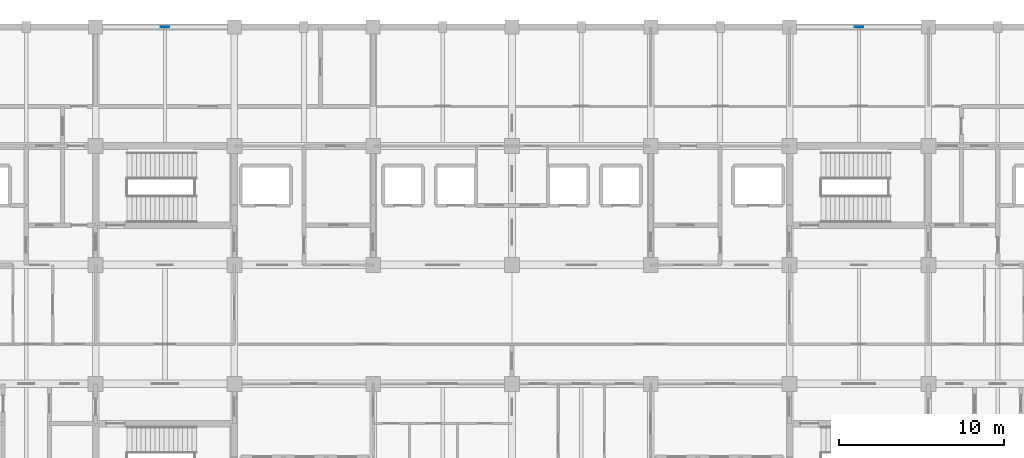
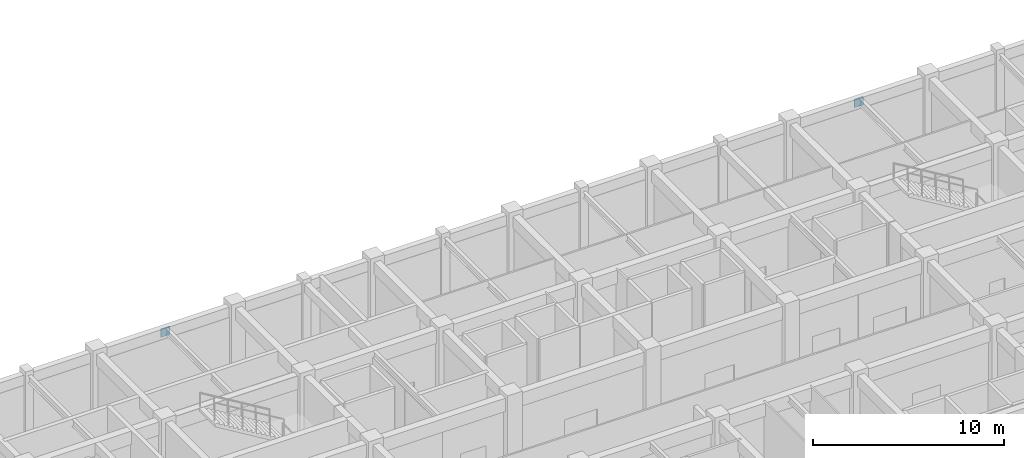
# One storey, part 37 of 73: 2 plates.
"""IFC4 building model written with IfcOpenShell, lengths in metres."""

from ifc_helpers import new_model, si_unit, direction, frame, origin, origin_2d, place, context, subcontext, project, spatial, rectangle, extrude, material, layer, layer_set, type_object, element, save


model = new_model("IFC4")

# Units and contexts
model_context = context("Model", 3, precision=1e-05, world=origin(), true_north=direction((0.0, 1.0)))
body_context = subcontext(model_context, "Body", "Model", "MODEL_VIEW")
ifc_project = project(units=[si_unit("LENGTHUNIT", "METRE"), si_unit("AREAUNIT", "SQUARE_METRE"), si_unit("VOLUMEUNIT", "CUBIC_METRE"), si_unit("PLANEANGLEUNIT", "RADIAN"), si_unit("MASSUNIT", "GRAM", prefix="KILO")], contexts=[model_context])

# Site, building, storey
site_placement = place(None, origin())
site = spatial("IfcSite", under=ifc_project, at=site_placement, CompositionType="ELEMENT")
building_placement = place(site_placement, origin())
building = spatial("IfcBuilding", under=site, at=building_placement, Name="Chengyuan Square Courthouse", CompositionType="ELEMENT")
storey_placement = place(building_placement, origin())
storey = spatial("IfcBuildingStorey", under=building, at=storey_placement, Name="L01", CompositionType="ELEMENT", Elevation=0.0)

# Plates
ifc_material = material(Name="Steel Q355B", Category="steel")
ifc_layer = layer(ifc_material, 0.0400390625)
ifc_layer_set = layer_set([ifc_layer], Name="Steel Q355B")
plate_type = type_object("IfcPlateType", Name="GP-03", PredefinedType="SHEET", material=ifc_layer_set)
for number, where, z_axis, x_axis, name in (
    (1, (63.0, 115.199951171875, 4.5), (0.0, 0.0, 1.0), (1.0, 0.0, 0.0), "Brace Gusset Plate GP-L01-07"),
    (2, (105.0, 115.199951171875, 4.5), (0.0, 0.0, 1.0), (1.0, 0.0, 0.0), "Brace Gusset Plate GP-L01-12"),
):
    element("IfcPlate", number, at=place(storey_placement, frame(where, z_axis=z_axis, x_axis=x_axis)), inside=storey, type_object=plate_type, Name=name, PredefinedType="SHEET", context=body_context, shape_type="SweptSolid", body=[
        extrude(rectangle(XDim=0.5400390625, YDim=0.0400390625, at=origin_2d()), origin(), (0.0, 0.0, 1.0), 0.5400390625),
    ])

save(model, "model.ifc")
